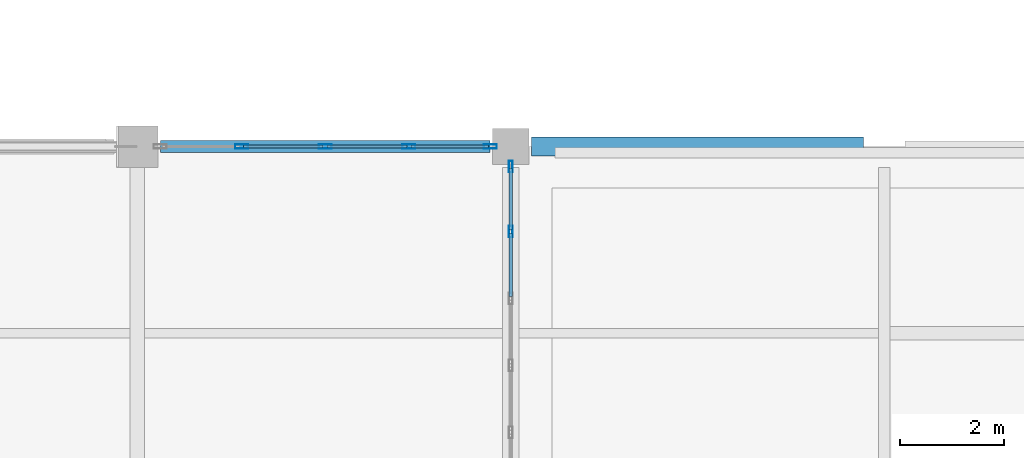
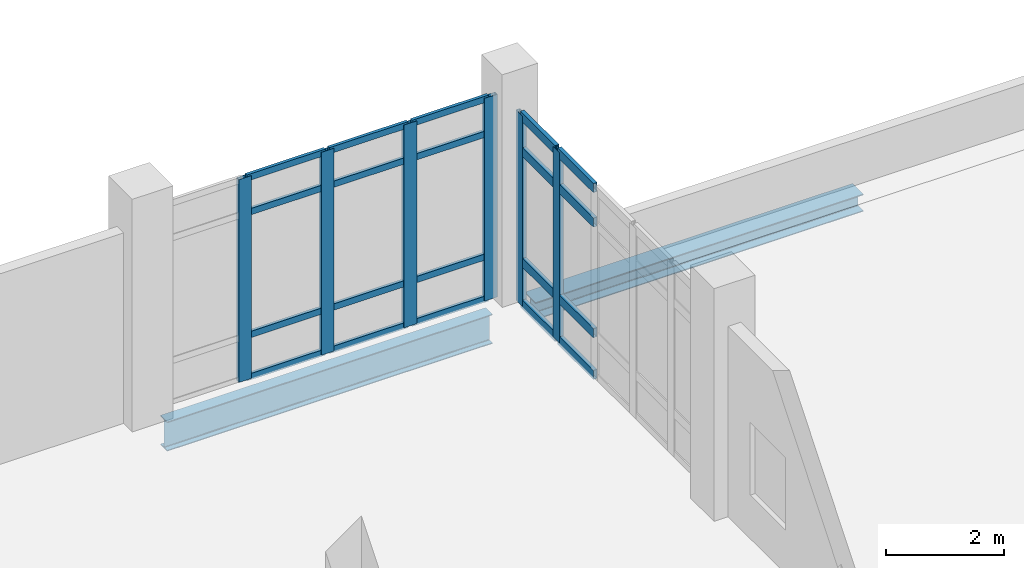
# One storey, part 94 of 153: 26 members, 2 beams, 2 elements without a shape of their own.
"""IFC4 building model written with IfcOpenShell, lengths in metres."""

from ifc_helpers import new_model, si_unit, direction, frame, origin, origin_2d, place, context, subcontext, project, spatial, hollow_rectangle, i_section, extrude, material, layer, layer_set, material_profile, profile_set, type_object, element, aggregate, save


model = new_model("IFC4")

# Units and contexts
model_context = context("Model", 3, precision=1e-05, world=origin(), true_north=direction((0.0, 1.0)))
body_context = subcontext(model_context, "Body", "Model", "MODEL_VIEW")
ifc_project = project(units=[si_unit("LENGTHUNIT", "METRE"), si_unit("AREAUNIT", "SQUARE_METRE"), si_unit("VOLUMEUNIT", "CUBIC_METRE"), si_unit("PLANEANGLEUNIT", "RADIAN"), si_unit("MASSUNIT", "GRAM", prefix="KILO")], contexts=[model_context])

# Site, building, storey
site_placement = place(None, origin())
site = spatial("IfcSite", under=ifc_project, at=site_placement, CompositionType="ELEMENT")
building_placement = place(site_placement, origin())
building = spatial("IfcBuilding", under=site, at=building_placement, Name="Calvrana Isthmian Art Gallery", CompositionType="ELEMENT")
storey_placement = place(building_placement, frame((0.0, 0.0, 10.199951171875)))
storey = spatial("IfcBuildingStorey", under=building, at=storey_placement, Name="L02", CompositionType="ELEMENT", Elevation=10.199951171875)

# Beams
ifc_material_1 = material(Name="Steel ASTM A992 Gr 50", Category="steel")
ifc_material_profile_1 = material_profile(ifc_material_1, i_section(OverallWidth=0.22802734375, OverallDepth=0.60693359375, WebThickness=0.01123046875, FlangeThickness=0.017333984375, FilletRadius=0.02197265625, at=origin_2d()), Name="W24X76")
ifc_profile_set_1 = profile_set([ifc_material_profile_1], Name="Steel ASTM A992 Gr 50")
beam_type_1 = type_object("IfcBeamType", Name="BM-G-W24X76", PredefinedType="BEAM", material=ifc_profile_set_1)
beam_1_placement = place(storey_placement, frame((127.64990234375, 98.39990234375, -0.568359375), z_axis=(1.0, 0.0, 0.0), x_axis=(0.0, 1.0, 0.0)))
element("IfcBeam", 1, at=beam_1_placement, inside=storey, type_object=beam_type_1, Name="Girder X L02 17-18/N", PredefinedType="BEAM", context=body_context, shape_type="SweptSolid", body=[
    extrude(i_section(OverallWidth=0.22802734375, OverallDepth=0.60693359375, WebThickness=0.01123046875, FlangeThickness=0.017333984375, FilletRadius=0.02197265625, at=origin_2d()), origin(), (0.0, 0.0, 1.0), 6.35009765625),
])
ifc_material_profile_2 = material_profile(ifc_material_1, i_section(OverallWidth=0.367919921875, OverallDepth=0.35595703125, WebThickness=0.01123046875, FlangeThickness=0.01806640625, FilletRadius=0.02490234375, at=origin_2d()), Name="W14X90")
ifc_profile_set_2 = profile_set([ifc_material_profile_2], Name="Steel ASTM A992 Gr 50")
beam_type_2 = type_object("IfcBeamType", Name="BM-SP-W14X90", PredefinedType="SPANDREL", material=ifc_profile_set_2)
beam_2_placement = place(storey_placement, frame((134.800048828125, 98.39990234375, -0.44287109375), z_axis=(1.0, 0.0, 0.0), x_axis=(0.0, 1.0, 0.0)))
element("IfcBeam", 2, at=beam_2_placement, inside=storey, type_object=beam_type_2, Name="Girder X L02 18-19/N", PredefinedType="SPANDREL", context=body_context, shape_type="SweptSolid", body=[
    extrude(i_section(OverallWidth=0.367919921875, OverallDepth=0.35595703125, WebThickness=0.01123046875, FlangeThickness=0.01806640625, FilletRadius=0.02490234375, at=origin_2d()), origin(), (0.0, 0.0, 1.0), 6.39990234375),
])

# Curtain wall, members
ifc_material_2 = material(Name="Anodized bronze aluminium 6063-T6", Category="aluminium")
ifc_layer_1 = layer(ifc_material_2, 0.179931640625, Name="Anodized bronze aluminium 6063-T6")
ifc_layer_set_1 = layer_set([ifc_layer_1], Name="Anodized bronze aluminium 6063-T6")
curtain_wall_type_1 = type_object("IfcCurtainWallType", Name="CW-UNIT-065X39", PredefinedType="USERDEFINED", material=ifc_layer_set_1)
curtain_wall_1_placement = place(storey_placement, origin())
curtain_wall_1 = element("IfcCurtainWall", 3, at=curtain_wall_1_placement, inside=storey, type_object=curtain_wall_type_1, Name="Curtain wall CW-184", ObjectType="UNITISED CURTAIN WALL", PredefinedType="USERDEFINED")
ifc_material_profile_3 = material_profile(ifc_material_2, hollow_rectangle(XDim=0.074951171875, YDim=0.219970703125, WallThickness=0.0048828125, at=origin_2d()), Name="CWM75X220")
ifc_profile_set_3 = profile_set([ifc_material_profile_3], Name="Anodized bronze aluminium 6063-T6")
member_type_1 = type_object("IfcMemberType", Name="CWM-CWM75X220", PredefinedType="MULLION", material=ifc_profile_set_3)
member_1_placement = place(storey_placement, frame((134.39990234375, 98.012451171875, 0.0), z_axis=(0.0, 0.0, 1.0), x_axis=(1.0, 0.0, 0.0)))
member_1 = element("IfcMember", 4, at=member_1_placement, type_object=member_type_1, Name="CW-184 mullion 1", PredefinedType="MULLION", context=body_context, shape_type="SweptSolid", body=[
    extrude(hollow_rectangle(XDim=0.074951171875, YDim=0.219970703125, WallThickness=0.0048828125, at=origin_2d()), origin(), (0.0, 0.0, 1.0), 3.93310546875),
])
member_2_placement = place(storey_placement, frame((134.39990234375, 96.760009765625, 0.0), z_axis=(0.0, 0.0, 1.0), x_axis=(1.0, 0.0, 0.0)))
member_2 = element("IfcMember", 5, at=member_2_placement, type_object=member_type_1, Name="CW-184 mullion 2", PredefinedType="MULLION", context=body_context, shape_type="SweptSolid", body=[
    extrude(hollow_rectangle(XDim=0.074951171875, YDim=0.219970703125, WallThickness=0.0048828125, at=origin_2d()), origin(), (0.0, 0.0, 1.0), 3.93310546875),
])

ifc_layer_2 = layer(ifc_material_2, 0.179931640625, Name="Anodized bronze aluminium 6063-T6")
ifc_layer_set_2 = layer_set([ifc_layer_2], Name="Anodized bronze aluminium 6063-T6")
curtain_wall_type_2 = type_object("IfcCurtainWallType", Name="CW-STICK-065X42", PredefinedType="NOTDEFINED", material=ifc_layer_set_2)
curtain_wall_2_placement = place(storey_placement, origin())
curtain_wall_2 = element("IfcCurtainWall", 6, at=curtain_wall_2_placement, inside=storey, type_object=curtain_wall_type_2, Name="Curtain wall CW-161", PredefinedType="NOTDEFINED")
ifc_material_profile_4 = material_profile(ifc_material_2, hollow_rectangle(XDim=0.080078125, YDim=0.25, WallThickness=0.005615234375, at=origin_2d()), Name="CWM80X250")
ifc_profile_set_4 = profile_set([ifc_material_profile_4], Name="Anodized bronze aluminium 6063-T6")
member_type_2 = type_object("IfcMemberType", Name="CWM-CWM80X250", PredefinedType="MULLION", material=ifc_profile_set_4)
member_3_placement = place(storey_placement, frame((129.21240234375, 98.39990234375, 0.0), z_axis=(0.0, 0.0, 1.0), x_axis=(0.0, 1.0, 0.0)))
member_3 = element("IfcMember", 7, at=member_3_placement, type_object=member_type_2, Name="CW-161 mullion 2", PredefinedType="MULLION", context=body_context, shape_type="SweptSolid", body=[
    extrude(hollow_rectangle(XDim=0.080078125, YDim=0.25, WallThickness=0.005615234375, at=origin_2d()), origin(), (0.0, 0.0, 1.0), 4.18408203125),
])
member_4_placement = place(storey_placement, frame((130.824951171875, 98.39990234375, 0.0), z_axis=(0.0, 0.0, 1.0), x_axis=(0.0, 1.0, 0.0)))
member_4 = element("IfcMember", 8, at=member_4_placement, type_object=member_type_2, Name="CW-161 mullion 3", PredefinedType="MULLION", context=body_context, shape_type="SweptSolid", body=[
    extrude(hollow_rectangle(XDim=0.080078125, YDim=0.25, WallThickness=0.005615234375, at=origin_2d()), origin(), (0.0, 0.0, 1.0), 4.18408203125),
])
member_5_placement = place(storey_placement, frame((132.4375, 98.39990234375, 0.0), z_axis=(0.0, 0.0, 1.0), x_axis=(0.0, 1.0, 0.0)))
member_5 = element("IfcMember", 9, at=member_5_placement, type_object=member_type_2, Name="CW-161 mullion 4", PredefinedType="MULLION", context=body_context, shape_type="SweptSolid", body=[
    extrude(hollow_rectangle(XDim=0.080078125, YDim=0.25, WallThickness=0.005615234375, at=origin_2d()), origin(), (0.0, 0.0, 1.0), 4.18408203125),
])
member_6_placement = place(storey_placement, frame((134.010009765625, 98.39990234375, 0.0), z_axis=(0.0, 0.0, 1.0), x_axis=(0.0, 1.0, 0.0)))
member_6 = element("IfcMember", 10, at=member_6_placement, type_object=member_type_2, Name="CW-161 mullion 5", PredefinedType="MULLION", context=body_context, shape_type="SweptSolid", body=[
    extrude(hollow_rectangle(XDim=0.080078125, YDim=0.25, WallThickness=0.005615234375, at=origin_2d()), origin(), (0.0, 0.0, 1.0), 4.18408203125),
])
ifc_material_profile_5 = material_profile(ifc_material_2, hollow_rectangle(XDim=0.06005859375, YDim=0.1298828125, WallThickness=0.00390625, at=origin_2d()), Name="CWT60X130")
ifc_profile_set_5 = profile_set([ifc_material_profile_5], Name="Anodized bronze aluminium 6063-T6")
member_type_3 = type_object("IfcMemberType", Name="CWT-CWT60X130", PredefinedType="USERDEFINED", material=ifc_profile_set_5)
member_7_placement = place(storey_placement, frame((129.25244140625, 98.39990234375, 0.030029296875), z_axis=(1.0, 0.0, 0.0), x_axis=(0.0, 1.0, 0.0)))
member_7 = element("IfcMember", 11, at=member_7_placement, type_object=member_type_3, Name="CW-161 transom 2.1", ObjectType="TRANSOM", PredefinedType="USERDEFINED", context=body_context, shape_type="SweptSolid", body=[
    extrude(hollow_rectangle(XDim=0.06005859375, YDim=0.1298828125, WallThickness=0.00390625, at=origin_2d()), origin(), (0.0, 0.0, 1.0), 1.532470703125),
])
member_8_placement = place(storey_placement, frame((129.25244140625, 98.39990234375, 0.900146484375), z_axis=(1.0, 0.0, 0.0), x_axis=(0.0, 1.0, 0.0)))
member_8 = element("IfcMember", 12, at=member_8_placement, type_object=member_type_3, Name="CW-161 transom 2.2", ObjectType="TRANSOM", PredefinedType="USERDEFINED", context=body_context, shape_type="SweptSolid", body=[
    extrude(hollow_rectangle(XDim=0.06005859375, YDim=0.1298828125, WallThickness=0.00390625, at=origin_2d()), origin(), (0.0, 0.0, 1.0), 1.532470703125),
])
member_9_placement = place(storey_placement, frame((129.25244140625, 98.39990234375, 3.43408203125), z_axis=(1.0, 0.0, 0.0), x_axis=(0.0, 1.0, 0.0)))
member_9 = element("IfcMember", 13, at=member_9_placement, type_object=member_type_3, Name="CW-161 transom 2.3", ObjectType="TRANSOM", PredefinedType="USERDEFINED", context=body_context, shape_type="SweptSolid", body=[
    extrude(hollow_rectangle(XDim=0.06005859375, YDim=0.1298828125, WallThickness=0.00390625, at=origin_2d()), origin(), (0.0, 0.0, 1.0), 1.532470703125),
])
member_10_placement = place(storey_placement, frame((129.25244140625, 98.39990234375, 4.154052734375), z_axis=(1.0, 0.0, 0.0), x_axis=(0.0, 1.0, 0.0)))
member_10 = element("IfcMember", 14, at=member_10_placement, type_object=member_type_3, Name="CW-161 transom 2.4", ObjectType="TRANSOM", PredefinedType="USERDEFINED", context=body_context, shape_type="SweptSolid", body=[
    extrude(hollow_rectangle(XDim=0.06005859375, YDim=0.1298828125, WallThickness=0.00390625, at=origin_2d()), origin(), (0.0, 0.0, 1.0), 1.532470703125),
])
member_11_placement = place(storey_placement, frame((130.864990234375, 98.39990234375, 0.030029296875), z_axis=(1.0, 0.0, 0.0), x_axis=(0.0, 1.0, 0.0)))
member_11 = element("IfcMember", 15, at=member_11_placement, type_object=member_type_3, Name="CW-161 transom 3.1", ObjectType="TRANSOM", PredefinedType="USERDEFINED", context=body_context, shape_type="SweptSolid", body=[
    extrude(hollow_rectangle(XDim=0.06005859375, YDim=0.1298828125, WallThickness=0.00390625, at=origin_2d()), origin(), (0.0, 0.0, 1.0), 1.532470703125),
])
member_12_placement = place(storey_placement, frame((130.864990234375, 98.39990234375, 0.900146484375), z_axis=(1.0, 0.0, 0.0), x_axis=(0.0, 1.0, 0.0)))
member_12 = element("IfcMember", 16, at=member_12_placement, type_object=member_type_3, Name="CW-161 transom 3.2", ObjectType="TRANSOM", PredefinedType="USERDEFINED", context=body_context, shape_type="SweptSolid", body=[
    extrude(hollow_rectangle(XDim=0.06005859375, YDim=0.1298828125, WallThickness=0.00390625, at=origin_2d()), origin(), (0.0, 0.0, 1.0), 1.532470703125),
])
member_13_placement = place(storey_placement, frame((130.864990234375, 98.39990234375, 3.43408203125), z_axis=(1.0, 0.0, 0.0), x_axis=(0.0, 1.0, 0.0)))
member_13 = element("IfcMember", 17, at=member_13_placement, type_object=member_type_3, Name="CW-161 transom 3.3", ObjectType="TRANSOM", PredefinedType="USERDEFINED", context=body_context, shape_type="SweptSolid", body=[
    extrude(hollow_rectangle(XDim=0.06005859375, YDim=0.1298828125, WallThickness=0.00390625, at=origin_2d()), origin(), (0.0, 0.0, 1.0), 1.532470703125),
])
member_14_placement = place(storey_placement, frame((130.864990234375, 98.39990234375, 4.154052734375), z_axis=(1.0, 0.0, 0.0), x_axis=(0.0, 1.0, 0.0)))
member_14 = element("IfcMember", 18, at=member_14_placement, type_object=member_type_3, Name="CW-161 transom 3.4", ObjectType="TRANSOM", PredefinedType="USERDEFINED", context=body_context, shape_type="SweptSolid", body=[
    extrude(hollow_rectangle(XDim=0.06005859375, YDim=0.1298828125, WallThickness=0.00390625, at=origin_2d()), origin(), (0.0, 0.0, 1.0), 1.532470703125),
])
member_15_placement = place(storey_placement, frame((132.4775390625, 98.39990234375, 0.030029296875), z_axis=(1.0, 0.0, 0.0), x_axis=(0.0, 1.0, 0.0)))
member_15 = element("IfcMember", 19, at=member_15_placement, type_object=member_type_3, Name="CW-161 transom 4.1", ObjectType="TRANSOM", PredefinedType="USERDEFINED", context=body_context, shape_type="SweptSolid", body=[
    extrude(hollow_rectangle(XDim=0.06005859375, YDim=0.1298828125, WallThickness=0.00390625, at=origin_2d()), origin(), (0.0, 0.0, 1.0), 1.492431640625),
])
member_16_placement = place(storey_placement, frame((132.4775390625, 98.39990234375, 0.900146484375), z_axis=(1.0, 0.0, 0.0), x_axis=(0.0, 1.0, 0.0)))
member_16 = element("IfcMember", 20, at=member_16_placement, type_object=member_type_3, Name="CW-161 transom 4.2", ObjectType="TRANSOM", PredefinedType="USERDEFINED", context=body_context, shape_type="SweptSolid", body=[
    extrude(hollow_rectangle(XDim=0.06005859375, YDim=0.1298828125, WallThickness=0.00390625, at=origin_2d()), origin(), (0.0, 0.0, 1.0), 1.492431640625),
])
member_17_placement = place(storey_placement, frame((132.4775390625, 98.39990234375, 3.43408203125), z_axis=(1.0, 0.0, 0.0), x_axis=(0.0, 1.0, 0.0)))
member_17 = element("IfcMember", 21, at=member_17_placement, type_object=member_type_3, Name="CW-161 transom 4.3", ObjectType="TRANSOM", PredefinedType="USERDEFINED", context=body_context, shape_type="SweptSolid", body=[
    extrude(hollow_rectangle(XDim=0.06005859375, YDim=0.1298828125, WallThickness=0.00390625, at=origin_2d()), origin(), (0.0, 0.0, 1.0), 1.492431640625),
])
member_18_placement = place(storey_placement, frame((132.4775390625, 98.39990234375, 4.154052734375), z_axis=(1.0, 0.0, 0.0), x_axis=(0.0, 1.0, 0.0)))
member_18 = element("IfcMember", 22, at=member_18_placement, type_object=member_type_3, Name="CW-161 transom 4.4", ObjectType="TRANSOM", PredefinedType="USERDEFINED", context=body_context, shape_type="SweptSolid", body=[
    extrude(hollow_rectangle(XDim=0.06005859375, YDim=0.1298828125, WallThickness=0.00390625, at=origin_2d()), origin(), (0.0, 0.0, 1.0), 1.492431640625),
])
aggregate(curtain_wall_2, [member_3, member_4, member_5, member_6, member_7, member_8, member_9, member_10, member_11, member_12, member_13, member_14, member_15, member_16, member_17, member_18])

# Member
ifc_material_profile_6 = material_profile(ifc_material_2, hollow_rectangle(XDim=0.074951171875, YDim=0.18994140625, WallThickness=0.00439453125, at=origin_2d()), Name="CWT75X190")
ifc_profile_set_6 = profile_set([ifc_material_profile_6], Name="Anodized bronze aluminium 6063-T6")
member_type_4 = type_object("IfcMemberType", Name="CWT-CWT75X190", PredefinedType="USERDEFINED", material=ifc_profile_set_6)
member_19_placement = place(storey_placement, frame((134.39990234375, 97.97509765625, 0.03759765625), z_axis=(0.0, -1.0, 0.0), x_axis=(1.0, 0.0, 0.0)))
member_19 = element("IfcMember", 23, at=member_19_placement, type_object=member_type_4, Name="CW-184 transom 1.1", ObjectType="TRANSOM", PredefinedType="USERDEFINED", context=body_context, shape_type="SweptSolid", body=[
    extrude(hollow_rectangle(XDim=0.074951171875, YDim=0.18994140625, WallThickness=0.00439453125, at=origin_2d()), origin(), (0.0, 0.0, 1.0), 1.177490234375),
])

member_20_placement = place(storey_placement, frame((134.39990234375, 97.97509765625, 0.900146484375), z_axis=(0.0, -1.0, 0.0), x_axis=(1.0, 0.0, 0.0)))
member_20 = element("IfcMember", 24, at=member_20_placement, type_object=member_type_4, Name="CW-184 transom 1.2", ObjectType="TRANSOM", PredefinedType="USERDEFINED", context=body_context, shape_type="SweptSolid", body=[
    extrude(hollow_rectangle(XDim=0.074951171875, YDim=0.18994140625, WallThickness=0.00439453125, at=origin_2d()), origin(), (0.0, 0.0, 1.0), 1.177490234375),
])

member_21_placement = place(storey_placement, frame((134.39990234375, 97.97509765625, 3.18310546875), z_axis=(0.0, -1.0, 0.0), x_axis=(1.0, 0.0, 0.0)))
member_21 = element("IfcMember", 25, at=member_21_placement, type_object=member_type_4, Name="CW-184 transom 1.3", ObjectType="TRANSOM", PredefinedType="USERDEFINED", context=body_context, shape_type="SweptSolid", body=[
    extrude(hollow_rectangle(XDim=0.074951171875, YDim=0.18994140625, WallThickness=0.00439453125, at=origin_2d()), origin(), (0.0, 0.0, 1.0), 1.177490234375),
])

member_22_placement = place(storey_placement, frame((134.39990234375, 97.97509765625, 3.8955078125), z_axis=(0.0, -1.0, 0.0), x_axis=(1.0, 0.0, 0.0)))
member_22 = element("IfcMember", 26, at=member_22_placement, type_object=member_type_4, Name="CW-184 transom 1.4", ObjectType="TRANSOM", PredefinedType="USERDEFINED", context=body_context, shape_type="SweptSolid", body=[
    extrude(hollow_rectangle(XDim=0.074951171875, YDim=0.18994140625, WallThickness=0.00439453125, at=origin_2d()), origin(), (0.0, 0.0, 1.0), 1.177490234375),
])

member_23_placement = place(storey_placement, frame((134.39990234375, 96.722412109375, 0.03759765625), z_axis=(0.0, -1.0, 0.0), x_axis=(1.0, 0.0, 0.0)))
member_23 = element("IfcMember", 27, at=member_23_placement, type_object=member_type_4, Name="CW-184 transom 2.1", ObjectType="TRANSOM", PredefinedType="USERDEFINED", context=body_context, shape_type="SweptSolid", body=[
    extrude(hollow_rectangle(XDim=0.074951171875, YDim=0.18994140625, WallThickness=0.00439453125, at=origin_2d()), origin(), (0.0, 0.0, 1.0), 1.21484375),
])

member_24_placement = place(storey_placement, frame((134.39990234375, 96.722412109375, 0.900146484375), z_axis=(0.0, -1.0, 0.0), x_axis=(1.0, 0.0, 0.0)))
member_24 = element("IfcMember", 28, at=member_24_placement, type_object=member_type_4, Name="CW-184 transom 2.2", ObjectType="TRANSOM", PredefinedType="USERDEFINED", context=body_context, shape_type="SweptSolid", body=[
    extrude(hollow_rectangle(XDim=0.074951171875, YDim=0.18994140625, WallThickness=0.00439453125, at=origin_2d()), origin(), (0.0, 0.0, 1.0), 1.21484375),
])

member_25_placement = place(storey_placement, frame((134.39990234375, 96.722412109375, 3.18310546875), z_axis=(0.0, -1.0, 0.0), x_axis=(1.0, 0.0, 0.0)))
member_25 = element("IfcMember", 29, at=member_25_placement, type_object=member_type_4, Name="CW-184 transom 2.3", ObjectType="TRANSOM", PredefinedType="USERDEFINED", context=body_context, shape_type="SweptSolid", body=[
    extrude(hollow_rectangle(XDim=0.074951171875, YDim=0.18994140625, WallThickness=0.00439453125, at=origin_2d()), origin(), (0.0, 0.0, 1.0), 1.21484375),
])

member_26_placement = place(storey_placement, frame((134.39990234375, 96.722412109375, 3.8955078125), z_axis=(0.0, -1.0, 0.0), x_axis=(1.0, 0.0, 0.0)))
member_26 = element("IfcMember", 30, at=member_26_placement, type_object=member_type_4, Name="CW-184 transom 2.4", ObjectType="TRANSOM", PredefinedType="USERDEFINED", context=body_context, shape_type="SweptSolid", body=[
    extrude(hollow_rectangle(XDim=0.074951171875, YDim=0.18994140625, WallThickness=0.00439453125, at=origin_2d()), origin(), (0.0, 0.0, 1.0), 1.21484375),
])

aggregate(curtain_wall_1, [member_1, member_2, member_19, member_20, member_21, member_22, member_23, member_24, member_25, member_26])

save(model, "model.ifc")
